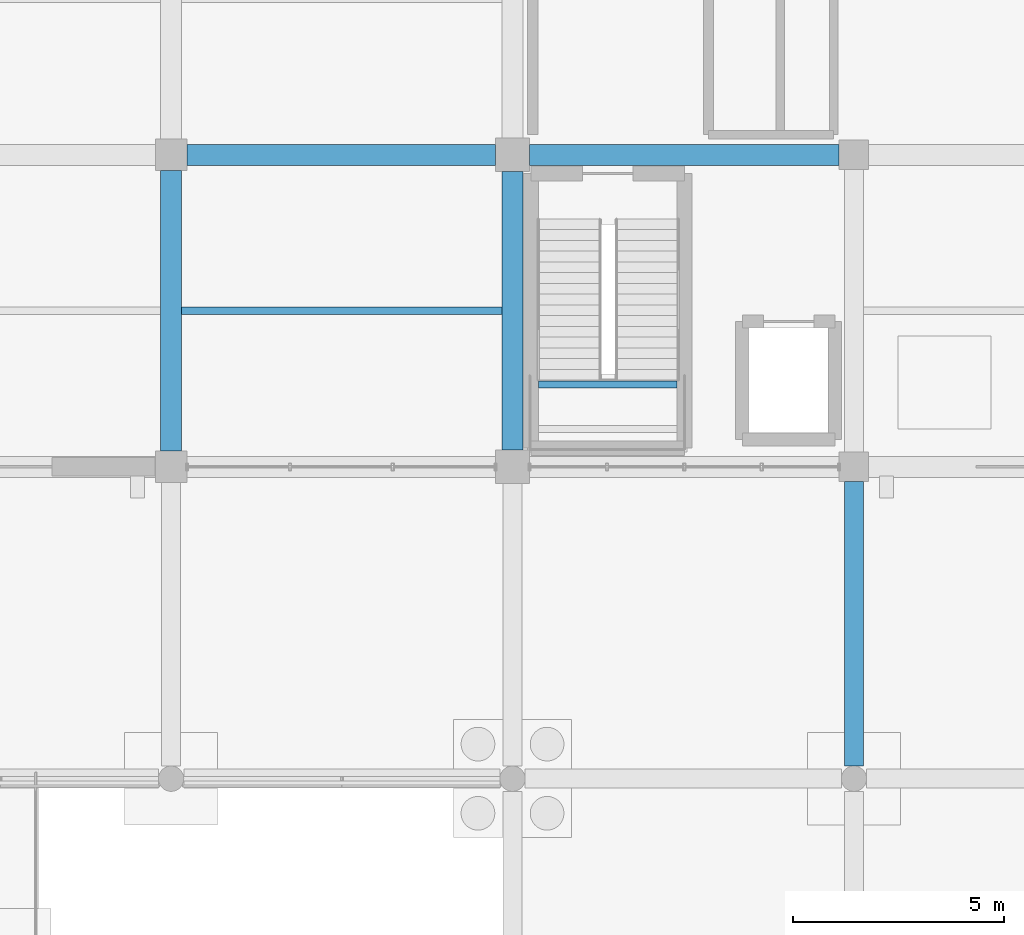
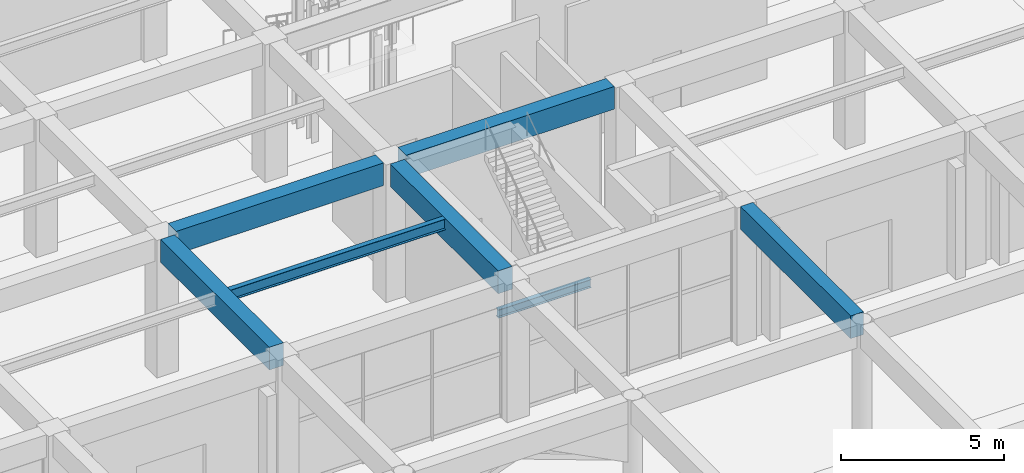
# One storey, part 30 of 140: 7 beams.
"""IFC4 building model written with IfcOpenShell, lengths in metres."""

from ifc_helpers import new_model, si_unit, direction, frame, origin, origin_2d, place, context, subcontext, project, spatial, rectangle, i_section, extrude, material, material_profile, profile_set, type_object, element, save


model = new_model("IFC4")

# Units and contexts
model_context = context("Model", 3, precision=1e-05, world=origin(), true_north=direction((0.0, 1.0)))
body_context = subcontext(model_context, "Body", "Model", "MODEL_VIEW")
ifc_project = project(units=[si_unit("LENGTHUNIT", "METRE"), si_unit("AREAUNIT", "SQUARE_METRE"), si_unit("VOLUMEUNIT", "CUBIC_METRE"), si_unit("PLANEANGLEUNIT", "RADIAN"), si_unit("MASSUNIT", "GRAM", prefix="KILO")], contexts=[model_context])

# Site, building, storey
site_placement = place(None, origin())
site = spatial("IfcSite", under=ifc_project, at=site_placement, CompositionType="ELEMENT")
building_placement = place(site_placement, origin())
building = spatial("IfcBuilding", under=site, at=building_placement, Name="Cimatlan Art Gallery", CompositionType="ELEMENT")
storey_placement = place(building_placement, origin())
storey = spatial("IfcBuildingStorey", under=building, at=storey_placement, Name="L00", CompositionType="ELEMENT", Elevation=0.0)

# Beams
ifc_material_1 = material(Name="Concrete C40/50", Category="concrete")
ifc_material_profile_1 = material_profile(ifc_material_1, rectangle(XDim=0.449951171875, YDim=0.85009765625, at=origin_2d()), Name="RC450X850")
ifc_profile_set_1 = profile_set([ifc_material_profile_1], Name="Concrete C40/50")
beam_type_1 = type_object("IfcBeamType", Name="BM-ARC-450X850", PredefinedType="SPANDREL", material=ifc_profile_set_1)
beam_1_placement = place(storey_placement, frame((83.0, 16.800048828125, 4.735107421875), z_axis=(0.0, 1.0, 0.0), x_axis=(-1.0, 0.0, 0.0)))
element("IfcBeam", 1, at=beam_1_placement, inside=storey, type_object=beam_type_1, Name="BM-ARC-Y-10-02", PredefinedType="SPANDREL", context=body_context, shape_type="SweptSolid", body=[
    extrude(rectangle(XDim=0.449951171875, YDim=0.85009765625, at=origin_2d()), origin(), (0.0, 0.0, 1.0), 6.75),
])
ifc_material_profile_2 = material_profile(ifc_material_1, rectangle(XDim=0.5, YDim=0.85009765625, at=origin_2d()), Name="RC500X850")
ifc_profile_set_2 = profile_set([ifc_material_profile_2], Name="Concrete C40/50")
beam_type_2 = type_object("IfcBeamType", Name="BM-RC-500X850", PredefinedType="BEAM", material=ifc_profile_set_2)
beam_2_placement = place(storey_placement, frame((66.800048828125, 24.27490234375, 4.7099609375), z_axis=(0.0, 1.0, 0.0), x_axis=(-1.0, 0.0, 0.0)))
element("IfcBeam", 2, at=beam_2_placement, inside=storey, type_object=beam_type_2, Name="BM-Y-L00-08-03", PredefinedType="BEAM", context=body_context, shape_type="SweptSolid", body=[
    extrude(rectangle(XDim=0.5, YDim=0.85009765625, at=origin_2d()), origin(), (0.0, 0.0, 1.0), 6.650146484375),
])
beam_3_placement = place(storey_placement, frame((74.89990234375, 24.300048828125, 4.7099609375), z_axis=(0.0, 1.0, 0.0), x_axis=(-1.0, 0.0, 0.0)))
element("IfcBeam", 3, at=beam_3_placement, inside=storey, type_object=beam_type_2, Name="BM-Y-L00-09-03", PredefinedType="BEAM", context=body_context, shape_type="SweptSolid", body=[
    extrude(rectangle(XDim=0.5, YDim=0.85009765625, at=origin_2d()), origin(), (0.0, 0.0, 1.0), 6.599853515625),
])
beam_4_placement = place(storey_placement, frame((67.175048828125, 31.300048828125, 4.7099609375), z_axis=(1.0, 0.0, 0.0), x_axis=(0.0, 1.0, 0.0)))
element("IfcBeam", 4, at=beam_4_placement, inside=storey, type_object=beam_type_2, Name="BM-X-L00-08-04", PredefinedType="BEAM", context=body_context, shape_type="SweptSolid", body=[
    extrude(rectangle(XDim=0.5, YDim=0.85009765625, at=origin_2d()), origin(), (0.0, 0.0, 1.0), 7.324951171875),
])
beam_5_placement = place(storey_placement, frame((75.300048828125, 31.300048828125, 4.7099609375), z_axis=(1.0, 0.0, 0.0), x_axis=(0.0, 1.0, 0.0)))
element("IfcBeam", 5, at=beam_5_placement, inside=storey, type_object=beam_type_2, Name="BM-X-L00-09-04", PredefinedType="BEAM", context=body_context, shape_type="SweptSolid", body=[
    extrude(rectangle(XDim=0.5, YDim=0.85009765625, at=origin_2d()), origin(), (0.0, 0.0, 1.0), 7.349853515625),
])
ifc_material_2 = material(Name="Steel ASTM A992 Grade 50", Category="steel")
ifc_material_profile_3 = material_profile(ifc_material_2, i_section(OverallWidth=0.1650390625, OverallDepth=0.31005859375, WebThickness=0.005859375, FlangeThickness=0.009765625, at=origin_2d()), Name="W12X26")
ifc_profile_set_3 = profile_set([ifc_material_profile_3], Name="Steel ASTM A992 Grade 50")
beam_type_3 = type_object("IfcBeamType", Name="BM-STL-W12X26", PredefinedType="JOIST", material=ifc_profile_set_3)
beam_6_placement = place(storey_placement, frame((75.514892578125, 25.85498046875, 2.324951171875), z_axis=(1.0, 0.0, 0.0), x_axis=(0.0, 1.0, 0.0)))
element("IfcBeam", 6, at=beam_6_placement, inside=storey, type_object=beam_type_3, Name="BM-STR-C3-L00-LH2", PredefinedType="JOIST", context=body_context, shape_type="SweptSolid", body=[
    extrude(i_section(OverallWidth=0.1650390625, OverallDepth=0.31005859375, WebThickness=0.005859375, FlangeThickness=0.009765625, at=origin_2d()), origin(), (0.0, 0.0, 1.0), 3.2900390625),
])
ifc_material_profile_4 = material_profile(ifc_material_2, i_section(OverallWidth=0.177978515625, OverallDepth=0.406982421875, WebThickness=0.0078125, FlangeThickness=0.0126953125, at=origin_2d()), Name="W16X40")
ifc_profile_set_4 = profile_set([ifc_material_profile_4], Name="Steel ASTM A992 Grade 50")
beam_type_4 = type_object("IfcBeamType", Name="BM-STL-W16X40", PredefinedType="JOIST", material=ifc_profile_set_4)
beam_7_placement = place(storey_placement, frame((67.050048828125, 27.60009765625, 4.931396484375), z_axis=(1.0, 0.0, 0.0), x_axis=(0.0, 1.0, 0.0)))
element("IfcBeam", 7, at=beam_7_placement, inside=storey, type_object=beam_type_4, Name="JST-L00-08-03", PredefinedType="JOIST", context=body_context, shape_type="SweptSolid", body=[
    extrude(i_section(OverallWidth=0.177978515625, OverallDepth=0.406982421875, WebThickness=0.0078125, FlangeThickness=0.0126953125, at=origin_2d()), origin(), (0.0, 0.0, 1.0), 7.599853515625),
])

save(model, "model.ifc")
